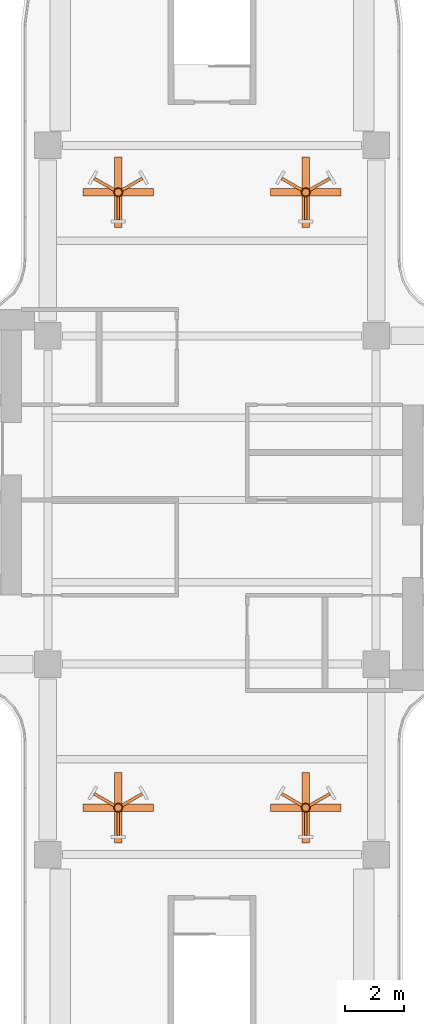
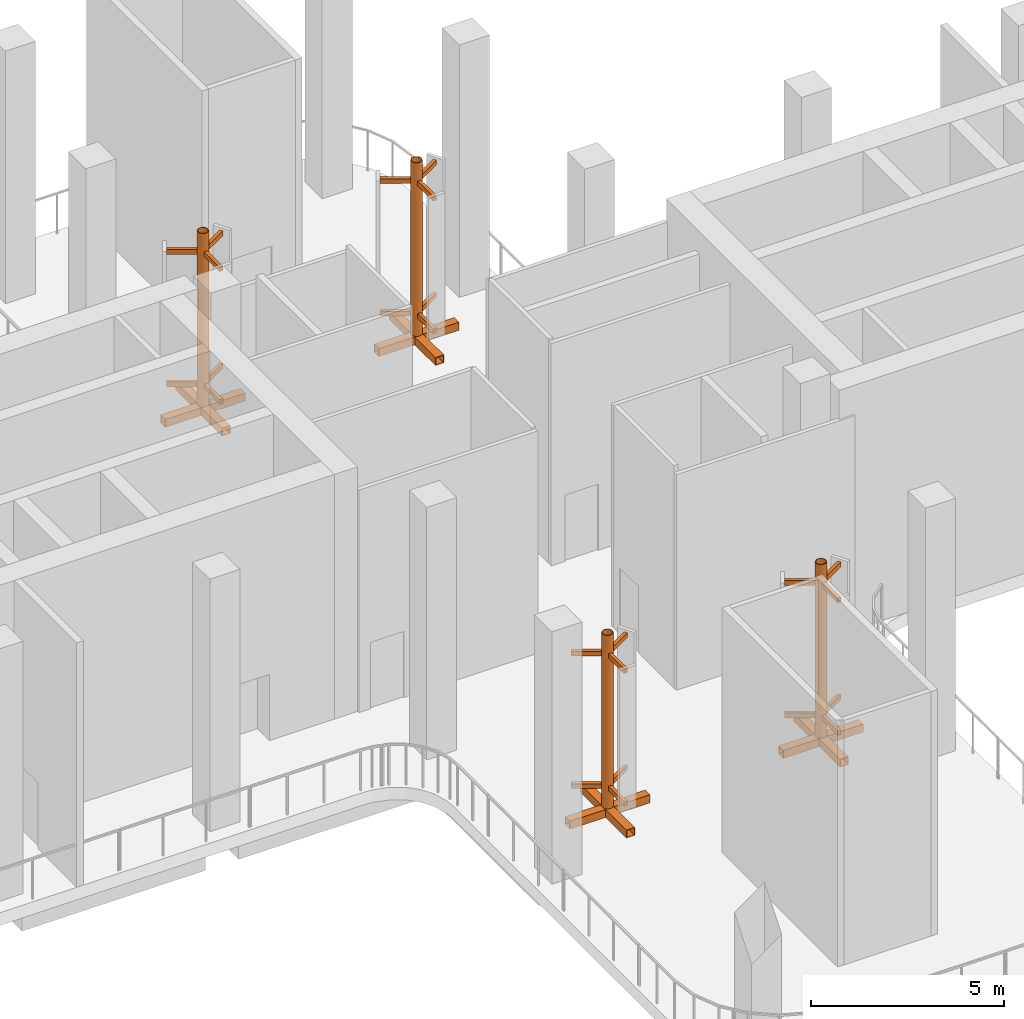
# One storey, part 8 of 8: 40 proxies.
"""IFC4 building model written with IfcOpenShell, lengths in metres."""

from ifc_helpers import new_model, si_unit, direction, frame, origin, origin_2d, place, context, subcontext, project, spatial, hollow_rectangle, hollow_circle, extrude, source, transform, mapped, material, material_profile, profile_set, type_object, element, save


model = new_model("IFC4")

# Units and contexts
model_context = context("Model", 3, precision=1e-05, world=origin(), true_north=direction((0.0, 1.0)))
body_context = subcontext(model_context, "Body", "Model", "MODEL_VIEW")
ifc_project = project(units=[si_unit("LENGTHUNIT", "METRE"), si_unit("AREAUNIT", "SQUARE_METRE"), si_unit("VOLUMEUNIT", "CUBIC_METRE"), si_unit("PLANEANGLEUNIT", "RADIAN"), si_unit("MASSUNIT", "GRAM", prefix="KILO")], contexts=[model_context])

# Site, building, storey
site_placement = place(None, origin())
site = spatial("IfcSite", under=ifc_project, at=site_placement, CompositionType="ELEMENT")
building_placement = place(site_placement, origin())
building = spatial("IfcBuilding", under=site, at=building_placement, Name="Trellis Farm Tower", CompositionType="ELEMENT")
storey_placement = place(building_placement, frame((0.0, 0.0, 330.10009765625)))
storey = spatial("IfcBuildingStorey", under=building, at=storey_placement, Name="L75", CompositionType="ELEMENT", Elevation=330.10009765625)

# Proxies
ifc_material = material(Name="Steel S355", Category="steel")
ifc_material_profile_1 = material_profile(ifc_material, hollow_rectangle(XDim=0.25, YDim=0.25, WallThickness=0.011962890625, at=origin_2d()), Name="RHS 250x250x12")
ifc_profile_set_1 = profile_set([ifc_material_profile_1], Name="Steel S355")
building_element_proxy_type_1 = type_object("IfcBuildingElementProxyType", Name="TURBINE BASE FRAME 250", PredefinedType="USERDEFINED", material=ifc_profile_set_1)
shared_shape_1 = source(origin(), body_context, "Body", "SweptSolid", [
    extrude(hollow_rectangle(XDim=0.25, YDim=0.25, WallThickness=0.011962890625, at=origin_2d()), origin(), (0.0, 0.0, 1.0), 1.074951171875),
])
for number, where, z_axis, x_axis, name in (
    (1, (-3.199951171875, 10.625, 0.125), (0.0, 1.0, 0.0), (-1.0, 0.0, 0.0), "TB2 U1-B"),
    (2, (-3.199951171875, 10.375, 0.125), (0.0, -1.0, 0.0), (1.0, 0.0, 0.0), "TB2 U1-C"),
    (3, (3.199951171875, 10.625, 0.125), (0.0, 1.0, 0.0), (-1.0, 0.0, 0.0), "TB2 U2-B"),
    (4, (3.199951171875, 10.375, 0.125), (0.0, -1.0, 0.0), (1.0, 0.0, 0.0), "TB2 U2-C"),
    (5, (-3.199951171875, -10.375, 0.125), (0.0, 1.0, 0.0), (-1.0, 0.0, 0.0), "TB2 U3-B"),
    (6, (-3.199951171875, -10.625, 0.125), (0.0, -1.0, 0.0), (1.0, 0.0, 0.0), "TB2 U3-C"),
    (7, (3.199951171875, -10.375, 0.125), (0.0, 1.0, 0.0), (-1.0, 0.0, 0.0), "TB2 U4-B"),
    (8, (3.199951171875, -10.625, 0.125), (0.0, -1.0, 0.0), (1.0, 0.0, 0.0), "TB2 U4-C"),
):
    element("IfcBuildingElementProxy", number, at=place(storey_placement, frame(where, z_axis=z_axis, x_axis=x_axis)), inside=storey, type_object=building_element_proxy_type_1, Name=name, ObjectType="TURBINE FRAME", PredefinedType="USERDEFINED", context=body_context, shape_type="MappedRepresentation", body=[
        mapped(shared_shape_1, transform((0.0, 0.0, 0.0))),
    ])
ifc_material_profile_2 = material_profile(ifc_material, hollow_rectangle(XDim=0.10009765625, YDim=0.14990234375, WallThickness=0.008056640625, at=origin_2d()), Name="RHS 150x100x8")
ifc_profile_set_2 = profile_set([ifc_material_profile_2], Name="Steel S355")
building_element_proxy_type_2 = type_object("IfcBuildingElementProxyType", Name="TURBINE ARM 150", PredefinedType="USERDEFINED", material=ifc_profile_set_2)
shared_shape_2 = source(origin(), body_context, "Body", "SweptSolid", [
    extrude(hollow_rectangle(XDim=0.10009765625, YDim=0.14990234375, WallThickness=0.008056640625, at=origin_2d()), origin(), (0.0, 0.0, 1.0), 0.800048828125),
])
for number, where, z_axis, x_axis, name in (
    (9, (-3.070068359375, 10.574951171875, 0.89990234375), (0.865961984968, 0.500109828528, 0.0), (-0.500109828528, 0.865961984968, 0.0), "TB3 U1-L1"),
    (10, (-3.070068359375, 10.574951171875, 5.099853515625), (0.865961984968, 0.500109828528, 0.0), (-0.500109828528, 0.865961984968, 0.0), "TB3 U1-U1"),
    (11, (-3.329833984375, 10.574951171875, 0.89990234375), (-0.865961984968, 0.500109828528, 0.0), (-0.500109828528, -0.865961984968, 0.0), "TB3 U1-L2"),
    (12, (-3.329833984375, 10.574951171875, 5.099853515625), (-0.865961984968, 0.500109828528, 0.0), (-0.500109828528, -0.865961984968, 0.0), "TB3 U1-U2"),
    (13, (-3.199951171875, 10.35009765625, 0.89990234375), (0.0, -1.0, 0.0), (1.0, 0.0, 0.0), "TB3 U1-L3"),
    (14, (-3.199951171875, 10.35009765625, 5.099853515625), (0.0, -1.0, 0.0), (1.0, 0.0, 0.0), "TB3 U1-U3"),
    (15, (3.329833984375, 10.574951171875, 0.89990234375), (0.865961984968, 0.500109828528, 0.0), (-0.500109828528, 0.865961984968, 0.0), "TB3 U2-L1"),
    (16, (3.329833984375, 10.574951171875, 5.099853515625), (0.865961984968, 0.500109828528, 0.0), (-0.500109828528, 0.865961984968, 0.0), "TB3 U2-U1"),
    (17, (3.070068359375, 10.574951171875, 0.89990234375), (-0.865961984968, 0.500109828528, 0.0), (-0.500109828528, -0.865961984968, 0.0), "TB3 U2-L2"),
    (18, (3.070068359375, 10.574951171875, 5.099853515625), (-0.865961984968, 0.500109828528, 0.0), (-0.500109828528, -0.865961984968, 0.0), "TB3 U2-U2"),
    (19, (3.199951171875, 10.35009765625, 0.89990234375), (0.0, -1.0, 0.0), (1.0, 0.0, 0.0), "TB3 U2-L3"),
    (20, (3.199951171875, 10.35009765625, 5.099853515625), (0.0, -1.0, 0.0), (1.0, 0.0, 0.0), "TB3 U2-U3"),
    (21, (-3.070068359375, -10.425048828125, 0.89990234375), (0.865961984968, 0.500109828528, 0.0), (-0.500109828528, 0.865961984968, 0.0), "TB3 U3-L1"),
    (22, (-3.070068359375, -10.425048828125, 5.099853515625), (0.865961984968, 0.500109828528, 0.0), (-0.500109828528, 0.865961984968, 0.0), "TB3 U3-U1"),
    (23, (-3.329833984375, -10.425048828125, 0.89990234375), (-0.865961984968, 0.500109828528, 0.0), (-0.500109828528, -0.865961984968, 0.0), "TB3 U3-L2"),
    (24, (-3.329833984375, -10.425048828125, 5.099853515625), (-0.865961984968, 0.500109828528, 0.0), (-0.500109828528, -0.865961984968, 0.0), "TB3 U3-U2"),
    (25, (-3.199951171875, -10.64990234375, 0.89990234375), (0.0, -1.0, 0.0), (1.0, 0.0, 0.0), "TB3 U3-L3"),
    (26, (-3.199951171875, -10.64990234375, 5.099853515625), (0.0, -1.0, 0.0), (1.0, 0.0, 0.0), "TB3 U3-U3"),
    (27, (3.329833984375, -10.425048828125, 0.89990234375), (0.865961984968, 0.500109828528, 0.0), (-0.500109828528, 0.865961984968, 0.0), "TB3 U4-L1"),
    (28, (3.329833984375, -10.425048828125, 5.099853515625), (0.865961984968, 0.500109828528, 0.0), (-0.500109828528, 0.865961984968, 0.0), "TB3 U4-U1"),
    (29, (3.070068359375, -10.425048828125, 0.89990234375), (-0.865961984968, 0.500109828528, 0.0), (-0.500109828528, -0.865961984968, 0.0), "TB3 U4-L2"),
    (30, (3.070068359375, -10.425048828125, 5.099853515625), (-0.865961984968, 0.500109828528, 0.0), (-0.500109828528, -0.865961984968, 0.0), "TB3 U4-U2"),
    (31, (3.199951171875, -10.64990234375, 0.89990234375), (0.0, -1.0, 0.0), (1.0, 0.0, 0.0), "TB3 U4-L3"),
    (32, (3.199951171875, -10.64990234375, 5.099853515625), (0.0, -1.0, 0.0), (1.0, 0.0, 0.0), "TB3 U4-U3"),
):
    element("IfcBuildingElementProxy", number, at=place(storey_placement, frame(where, z_axis=z_axis, x_axis=x_axis)), inside=storey, type_object=building_element_proxy_type_2, Name=name, ObjectType="TURBINE ARM", PredefinedType="USERDEFINED", context=body_context, shape_type="MappedRepresentation", body=[
        mapped(shared_shape_2, transform((0.0, 0.0, 0.0))),
    ])
shared_shape_3 = source(origin(), body_context, "Body", "SweptSolid", [
    extrude(hollow_rectangle(XDim=0.25, YDim=0.25, WallThickness=0.011962890625, at=origin_2d()), origin(), (0.0, 0.0, 1.0), 2.39990234375),
])
for number, where, z_axis, x_axis, name in (
    (33, (-4.39990234375, 10.5, 0.125), (1.0, 0.0, 0.0), (0.0, 1.0, 0.0), "TB2 U1-A"),
    (34, (2.0, 10.5, 0.125), (1.0, 0.0, 0.0), (0.0, 1.0, 0.0), "TB2 U2-A"),
    (35, (-4.39990234375, -10.5, 0.125), (1.0, 0.0, 0.0), (0.0, 1.0, 0.0), "TB2 U3-A"),
    (36, (2.0, -10.5, 0.125), (1.0, 0.0, 0.0), (0.0, 1.0, 0.0), "TB2 U4-A"),
):
    element("IfcBuildingElementProxy", number, at=place(storey_placement, frame(where, z_axis=z_axis, x_axis=x_axis)), inside=storey, type_object=building_element_proxy_type_1, Name=name, ObjectType="TURBINE FRAME", PredefinedType="USERDEFINED", context=body_context, shape_type="MappedRepresentation", body=[
        mapped(shared_shape_3, transform((0.0, 0.0, 0.0))),
    ])
ifc_material_profile_3 = material_profile(ifc_material, hollow_circle(Radius=0.14990234375, WallThickness=0.01611328125, at=origin_2d()), Name="CHS 300x16")
ifc_profile_set_3 = profile_set([ifc_material_profile_3], Name="Steel S355")
building_element_proxy_type_3 = type_object("IfcBuildingElementProxyType", Name="TURBINE SHAFT 300", PredefinedType="USERDEFINED", material=ifc_profile_set_3)
shared_shape_4 = source(origin(), body_context, "Body", "SweptSolid", [
    extrude(hollow_circle(Radius=0.14990234375, WallThickness=0.01611328125, at=origin_2d()), origin(), (0.0, 0.0, 1.0), 5.5),
])
for number, where, z_axis, x_axis, name in (
    (37, (-3.199951171875, 10.5, 0.25), (0.0, 0.0, 1.0), (1.0, 0.0, 0.0), "TB1 U1"),
    (38, (3.199951171875, 10.5, 0.25), (0.0, 0.0, 1.0), (1.0, 0.0, 0.0), "TB1 U2"),
    (39, (-3.199951171875, -10.5, 0.25), (0.0, 0.0, 1.0), (1.0, 0.0, 0.0), "TB1 U3"),
    (40, (3.199951171875, -10.5, 0.25), (0.0, 0.0, 1.0), (1.0, 0.0, 0.0), "TB1 U4"),
):
    element("IfcBuildingElementProxy", number, at=place(storey_placement, frame(where, z_axis=z_axis, x_axis=x_axis)), inside=storey, type_object=building_element_proxy_type_3, Name=name, ObjectType="TURBINE SHAFT", PredefinedType="USERDEFINED", context=body_context, shape_type="MappedRepresentation", body=[
        mapped(shared_shape_4, transform((0.0, 0.0, 0.0))),
    ])

save(model, "model.ifc")
